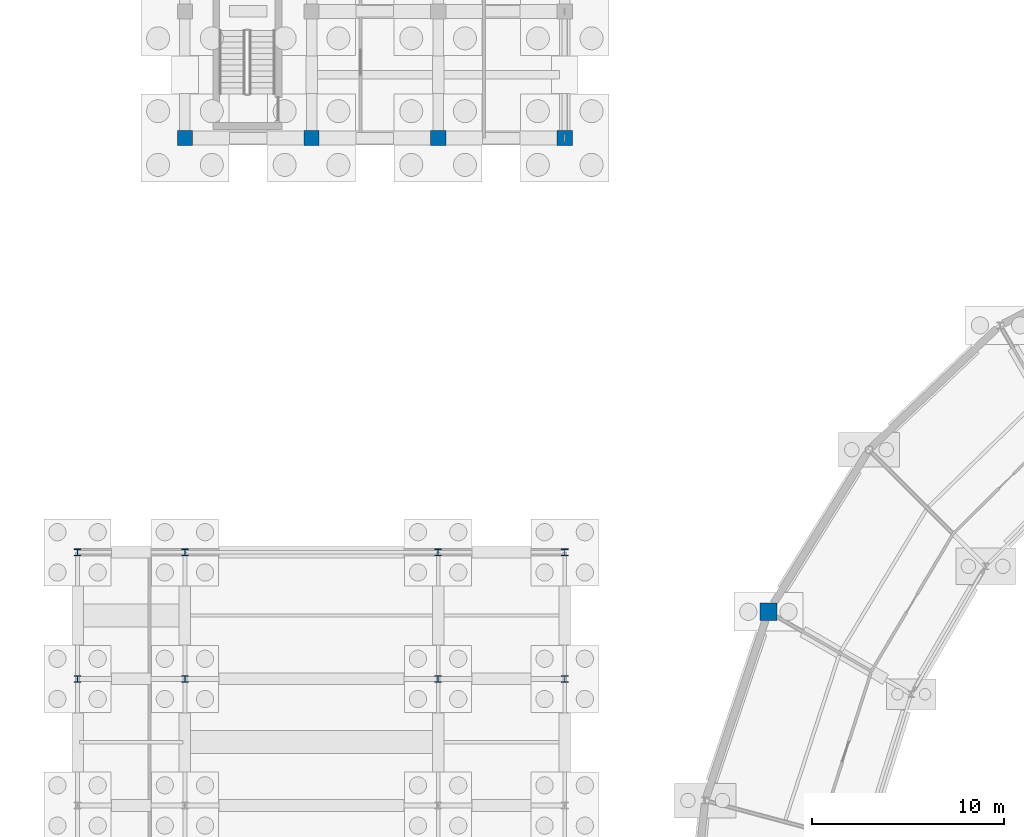
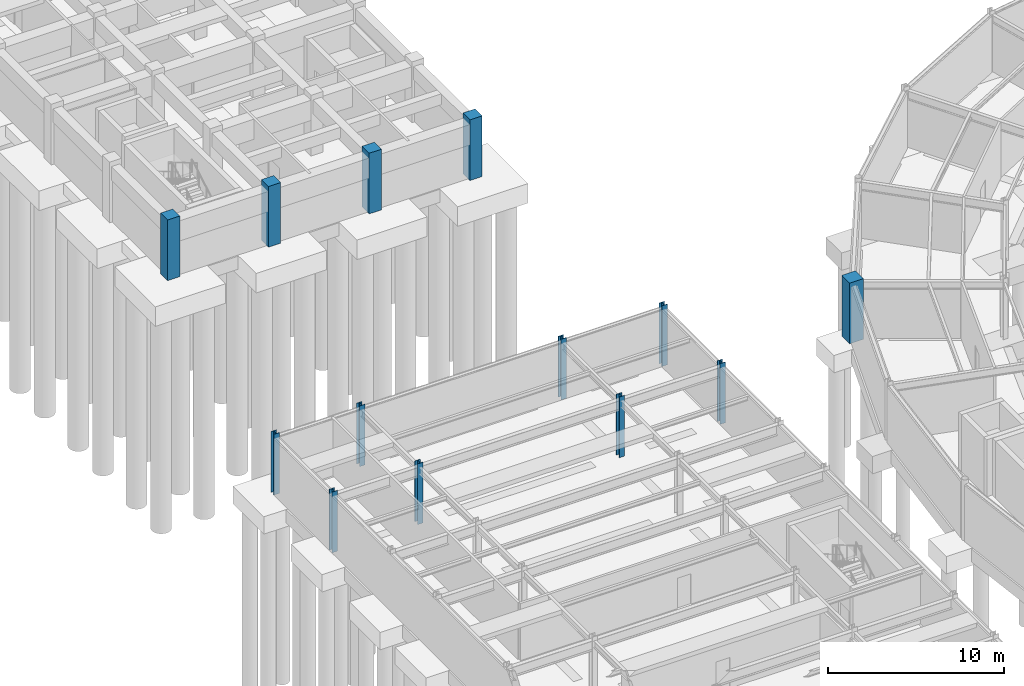
# One storey, part 18 of 58: 13 columns.
"""IFC4 building model written with IfcOpenShell, lengths in metres."""

from ifc_helpers import new_model, si_unit, direction, frame, origin, origin_2d, place, context, subcontext, project, spatial, rectangle, i_section, extrude, material, material_profile, profile_set, type_object, element, save


model = new_model("IFC4")

# Units and contexts
model_context = context("Model", 3, precision=1e-05, world=origin(), true_north=direction((0.0, 1.0)))
body_context = subcontext(model_context, "Body", "Model", "MODEL_VIEW")
ifc_project = project(units=[si_unit("LENGTHUNIT", "METRE"), si_unit("AREAUNIT", "SQUARE_METRE"), si_unit("VOLUMEUNIT", "CUBIC_METRE"), si_unit("PLANEANGLEUNIT", "RADIAN"), si_unit("MASSUNIT", "GRAM", prefix="KILO")], contexts=[model_context])

# Site, building, storey
site_placement = place(None, origin())
site = spatial("IfcSite", under=ifc_project, at=site_placement, CompositionType="ELEMENT")
building_placement = place(site_placement, origin())
building = spatial("IfcBuilding", under=site, at=building_placement, Name="Karori Crest Natural Sciences Institute", CompositionType="ELEMENT")
storey_placement = place(building_placement, frame((0.0, 0.0, -4.199951171875)))
storey = spatial("IfcBuildingStorey", under=building, at=storey_placement, Name="B1", CompositionType="ELEMENT", Elevation=-4.199951171875)

# Columns
ifc_material_1 = material(Name="Structural steel AS/NZS 3679.1 Grade 350", Category="steel")
ifc_material_profile_1 = material_profile(ifc_material_1, i_section(OverallWidth=0.35009765625, OverallDepth=0.35009765625, WebThickness=0.02001953125, FlangeThickness=0.031982421875, FilletRadius=0.01611328125, at=origin_2d()), Name="350WC280")
ifc_profile_set_1 = profile_set([ifc_material_profile_1], Name="Structural steel AS/NZS 3679.1 Grade 350")
column_type_1 = type_object("IfcColumnType", Name="CT-03", PredefinedType="COLUMN", material=ifc_profile_set_1)
for number, where, z_axis, x_axis, name in (
    (1, (1.800048828125, 66.800048828125, 0.0), (0.0, 0.0, 1.0), (1.0, 0.0, 0.0), "Column C-0564"),
    (2, (1.800048828125, 73.39990234375, 0.0), (0.0, 0.0, 1.0), (1.0, 0.0, 0.0), "Column C-0569"),
    (3, (7.39990234375, 66.800048828125, 0.0), (0.0, 0.0, 1.0), (1.0, 0.0, 0.0), "Column C-0609"),
    (4, (7.39990234375, 73.39990234375, 0.0), (0.0, 0.0, 1.0), (1.0, 0.0, 0.0), "Column C-0614"),
    (5, (20.60009765625, 66.800048828125, 0.0), (0.0, 0.0, 1.0), (1.0, 0.0, 0.0), "Column C-0654"),
    (6, (20.60009765625, 73.39990234375, 0.0), (0.0, 0.0, 1.0), (1.0, 0.0, 0.0), "Column C-0659"),
    (7, (27.199951171875, 66.800048828125, 0.0), (0.0, 0.0, 1.0), (1.0, 0.0, 0.0), "Column C-0699"),
    (8, (27.199951171875, 73.39990234375, 0.0), (0.0, 0.0, 1.0), (1.0, 0.0, 0.0), "Column C-0704"),
):
    element("IfcColumn", number, at=place(storey_placement, frame(where, z_axis=z_axis, x_axis=x_axis)), inside=storey, type_object=column_type_1, Name=name, PredefinedType="COLUMN", context=body_context, shape_type="SweptSolid", body=[
        extrude(i_section(OverallWidth=0.35009765625, OverallDepth=0.35009765625, WebThickness=0.02001953125, FlangeThickness=0.031982421875, FilletRadius=0.01611328125, at=origin_2d()), origin(), (0.0, 0.0, 1.0), 4.199951171875),
    ])
ifc_material_2 = material(Name="Concrete 50 MPa", Category="concrete")
ifc_material_profile_2 = material_profile(ifc_material_2, rectangle(XDim=0.800048828125, YDim=0.800048828125, at=origin_2d()), Name="RC800x800")
ifc_profile_set_2 = profile_set([ifc_material_profile_2], Name="Concrete 50 MPa")
column_type_2 = type_object("IfcColumnType", Name="CT-17", PredefinedType="COLUMN", material=ifc_profile_set_2)
for number, where, z_axis, x_axis, name in (
    (9, (7.39990234375, 95.0, 0.0), (0.0, 0.0, 1.0), (1.0, 0.0, 0.0), "Column C-0709"),
    (10, (14.0, 95.0, 0.0), (0.0, 0.0, 1.0), (1.0, 0.0, 0.0), "Column C-0786"),
    (11, (20.60009765625, 95.0, 0.0), (0.0, 0.0, 1.0), (1.0, 0.0, 0.0), "Column C-0863"),
    (12, (27.199951171875, 95.0, 0.0), (0.0, 0.0, 1.0), (1.0, 0.0, 0.0), "Column C-0940"),
):
    element("IfcColumn", number, at=place(storey_placement, frame(where, z_axis=z_axis, x_axis=x_axis)), inside=storey, type_object=column_type_2, Name=name, PredefinedType="COLUMN", context=body_context, shape_type="SweptSolid", body=[
        extrude(rectangle(XDim=0.800048828125, YDim=0.800048828125, at=origin_2d()), origin(), (0.0, 0.0, 1.0), 4.199951171875),
    ])
ifc_material_profile_3 = material_profile(ifc_material_2, rectangle(XDim=0.89990234375, YDim=0.89990234375, at=origin_2d()), Name="RC900x900")
ifc_profile_set_3 = profile_set([ifc_material_profile_3], Name="Concrete 50 MPa")
column_type_3 = type_object("IfcColumnType", Name="CT-28", PredefinedType="COLUMN", material=ifc_profile_set_3)
column_placement = place(storey_placement, frame((37.8212890625, 70.300048828125, 0.0), z_axis=(0.0, 0.0, 1.0), x_axis=(1.0, 0.0, 0.0)))
element("IfcColumn", 13, at=column_placement, inside=storey, type_object=column_type_3, Name="Column C-0173", PredefinedType="COLUMN", context=body_context, shape_type="SweptSolid", body=[
    extrude(rectangle(XDim=0.89990234375, YDim=0.89990234375, at=origin_2d()), origin(), (0.0, 0.0, 1.0), 4.199951171875),
])

save(model, "model.ifc")
